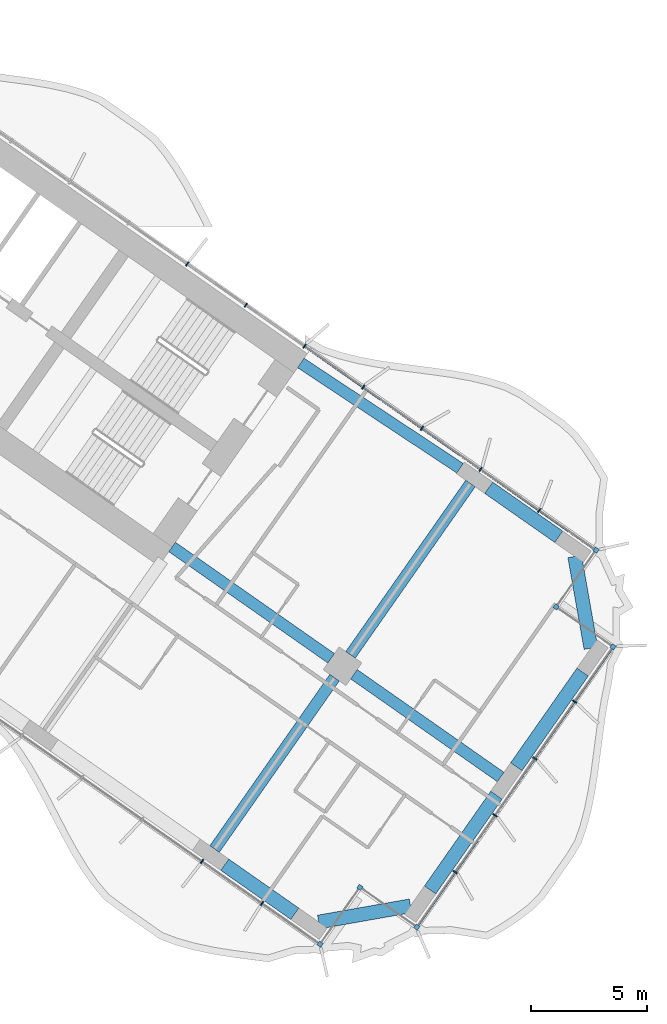
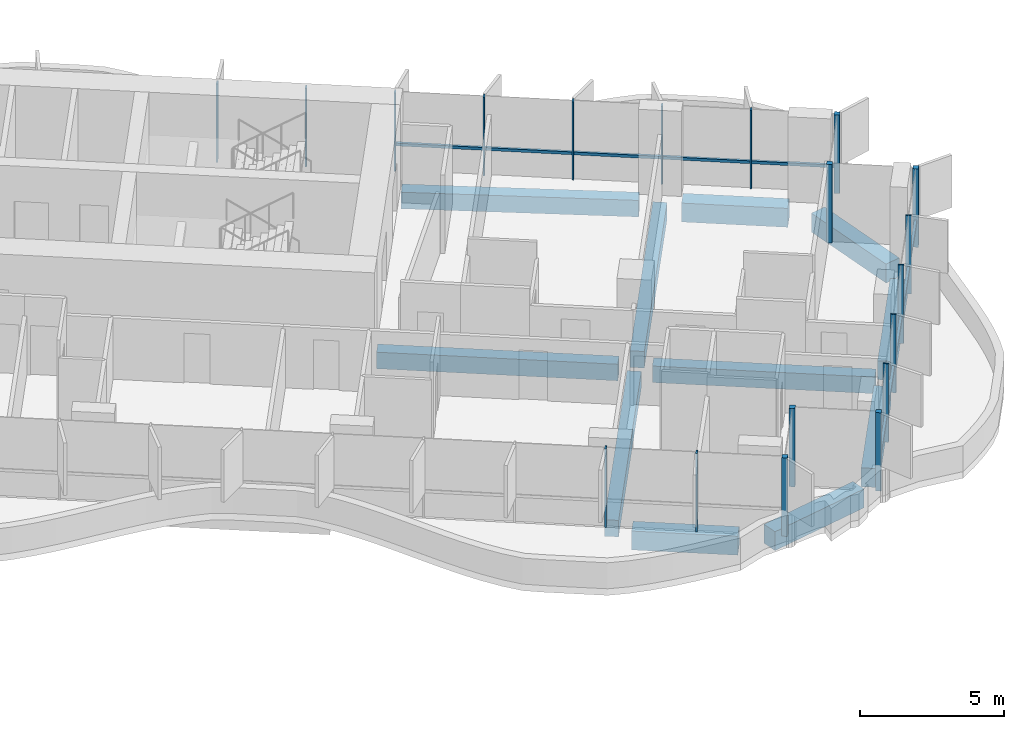
# One storey, part 9 of 23: 21 members, 11 beams, 2 elements without a shape of their own.
"""IFC4 building model written with IfcOpenShell, lengths in metres."""

from ifc_helpers import new_model, si_unit, direction, frame, origin, origin_2d, place, context, subcontext, project, spatial, rectangle, extrude, material, material_profile, profile_set, type_object, element, aggregate, save


model = new_model("IFC4")

# Units and contexts
model_context = context("Model", 3, precision=1e-05, world=origin(), true_north=direction((0.0, 1.0)))
body_context = subcontext(model_context, "Body", "Model", "MODEL_VIEW")
ifc_project = project(units=[si_unit("LENGTHUNIT", "METRE"), si_unit("AREAUNIT", "SQUARE_METRE"), si_unit("VOLUMEUNIT", "CUBIC_METRE"), si_unit("PLANEANGLEUNIT", "RADIAN"), si_unit("MASSUNIT", "GRAM", prefix="KILO")], contexts=[model_context])

# Site, building, storey
site_placement = place(None, origin())
site = spatial("IfcSite", under=ifc_project, at=site_placement, CompositionType="ELEMENT")
building_placement = place(site_placement, origin())
building = spatial("IfcBuilding", under=site, at=building_placement, Name="Tel Ilan Convention Tower", CompositionType="ELEMENT")
storey_placement = place(building_placement, frame((0.0, 0.0, 119.300048828125)))
storey = spatial("IfcBuildingStorey", under=building, at=storey_placement, Name="L26", CompositionType="ELEMENT", Elevation=119.300048828125)

# Beams
ifc_material_1 = material(Name="Concrete C40/50", Category="concrete")
ifc_material_profile_1 = material_profile(ifc_material_1, rectangle(XDim=0.5, YDim=0.699951171875, at=origin_2d()), Name="RC 500x700")
ifc_profile_set_1 = profile_set([ifc_material_profile_1], Name="Concrete C40/50")
beam_type_1 = type_object("IfcBeamType", Name="Beam RC 500x700 Concrete C40/50", PredefinedType="BEAM", material=ifc_profile_set_1)
beam_1_placement = place(storey_placement, frame((34.570556640625, -12.08447265625, -0.630126953125), z_axis=(-0.834273603487, 0.551350663847, 0.0), x_axis=(-0.551350663847, -0.834273603487, 0.0)))
element("IfcBeam", 1, at=beam_1_placement, inside=storey, type_object=beam_type_1, Name="L26 beam E-E-B4-core", PredefinedType="BEAM", context=body_context, shape_type="SweptSolid", body=[
    extrude(rectangle(XDim=0.5, YDim=0.699951171875, at=origin_2d()), origin(), (0.0, 0.0, 1.0), 8.2529296875),
])
beam_2_placement = place(storey_placement, frame((22.1171875, -15.486572265625, -0.630126953125), z_axis=(0.819147254605, -0.573583276668, 0.0), x_axis=(0.573583276668, 0.819147254605, 0.0)))
element("IfcBeam", 2, at=beam_2_placement, inside=storey, type_object=beam_type_1, Name="L26 beam E-core-E-M4", PredefinedType="BEAM", context=body_context, shape_type="SweptSolid", body=[
    extrude(rectangle(XDim=0.5, YDim=0.699951171875, at=origin_2d()), origin(), (0.0, 0.0, 1.0), 8.400146484375),
])
beam_3_placement = place(storey_placement, frame((29.98095703125, -20.992919921875, -0.630126953125), z_axis=(0.819159394801, -0.573565938589, 0.0), x_axis=(0.573565938589, 0.819159394801, 0.0)))
element("IfcBeam", 3, at=beam_3_placement, inside=storey, type_object=beam_type_1, Name="L26 beam E-E-M4-end", PredefinedType="BEAM", context=body_context, shape_type="SweptSolid", body=[
    extrude(rectangle(XDim=0.5, YDim=0.699951171875, at=origin_2d()), origin(), (0.0, 0.0, 1.0), 7.75),
])
for number, where, z_axis, x_axis, name in (
    (4, (29.145263671875, -21.14013671875, -0.630126953125), (-0.573549245583, -0.819171082798, 0.0), (0.819171082798, -0.573549245583, 0.0), "L26 beam E-E-M4-E-F4"),
    (5, (29.83349609375, -20.1572265625, -0.630126953125), (0.57358002233, 0.819149533348, 0.0), (-0.819149533348, 0.57358002233, 0.0), "L26 beam E-E-M4-E-B4"),
):
    element("IfcBeam", number, at=place(storey_placement, frame(where, z_axis=z_axis, x_axis=x_axis)), inside=storey, type_object=beam_type_1, Name=name, PredefinedType="BEAM", context=body_context, shape_type="SweptSolid", body=[
        extrude(rectangle(XDim=0.5, YDim=0.699951171875, at=origin_2d()), origin(), (0.0, 0.0, 1.0), 9.050048828125),
    ])
ifc_material_2 = material(Name="Concrete C40/50", Category="concrete")
ifc_material_profile_2 = material_profile(ifc_material_2, rectangle(XDim=0.60009765625, YDim=0.800048828125, at=origin_2d()), Name="RC 600x800")
ifc_profile_set_2 = profile_set([ifc_material_profile_2], Name="Concrete C40/50")
beam_type_2 = type_object("IfcBeamType", Name="Beam RC 600x800 Concrete C40/50", PredefinedType="BEAM", material=ifc_profile_set_2)
beam_4_placement = place(storey_placement, frame((24.396728515625, -29.2294921875, -0.679931640625), z_axis=(0.819132709951, -0.573604047656, 0.0), x_axis=(0.573604047656, 0.819132709951, 0.0)))
element("IfcBeam", 6, at=beam_4_placement, inside=storey, type_object=beam_type_2, Name="L26 beam E-E-F4-E-FC", PredefinedType="BEAM", context=body_context, shape_type="SweptSolid", body=[
    extrude(rectangle(XDim=0.60009765625, YDim=0.800048828125, at=origin_2d()), origin(), (0.0, 0.0, 1.0), 3.699951171875),
])
beam_5_placement = place(storey_placement, frame((28.459716796875, -31.708251953125, -0.679931640625), z_axis=(0.984806721117, 0.173654029734, 0.0), x_axis=(-0.173654029734, 0.984806721117, 0.0)))
element("IfcBeam", 7, at=beam_5_placement, inside=storey, type_object=beam_type_2, Name="L26 beam E-E-FC-E-E1", PredefinedType="BEAM", context=body_context, shape_type="SweptSolid", body=[
    extrude(rectangle(XDim=0.60009765625, YDim=0.800048828125, at=origin_2d()), origin(), (0.0, 0.0, 1.0), 4.03076171875),
])
for number, where, z_axis, x_axis, name in (
    (8, (33.277099609375, -30.3203125, -0.679931640625), (0.573586866468, 0.819144740944, 0.0), (-0.819144740944, 0.573586866468, 0.0), "L26 beam E-E-E1-E-E2"),
    (9, (37.00537109375, -24.995849609375, -0.679931640625), (0.573586866468, 0.819144740944, 0.0), (-0.819144740944, 0.573586866468, 0.0), "L26 beam E-E-E2-E-E3"),
):
    element("IfcBeam", number, at=place(storey_placement, frame(where, z_axis=z_axis, x_axis=x_axis)), inside=storey, type_object=beam_type_2, Name=name, PredefinedType="BEAM", context=body_context, shape_type="SweptSolid", body=[
        extrude(rectangle(XDim=0.60009765625, YDim=0.800048828125, at=origin_2d()), origin(), (0.0, 0.0, 1.0), 5.0),
    ])
beam_6_placement = place(storey_placement, frame((40.229736328125, -19.867919921875, -0.679931640625), z_axis=(-0.173664388751, 0.984804894423, 0.0), x_axis=(-0.984804894423, -0.173664388751, 0.0)))
element("IfcBeam", 10, at=beam_6_placement, inside=storey, type_object=beam_type_2, Name="L26 beam E-E-E3-E-BC", PredefinedType="BEAM", context=body_context, shape_type="SweptSolid", body=[
    extrude(rectangle(XDim=0.60009765625, YDim=0.800048828125, at=origin_2d()), origin(), (0.0, 0.0, 1.0), 4.030517578125),
])
beam_7_placement = place(storey_placement, frame((38.841796875, -15.050537109375, -0.679931640625), z_axis=(-0.819185419371, 0.573528768842, 0.0), x_axis=(-0.573528768842, -0.819185419371, 0.0)))
element("IfcBeam", 11, at=beam_7_placement, inside=storey, type_object=beam_type_2, Name="L26 beam E-E-BC-E-B4", PredefinedType="BEAM", context=body_context, shape_type="SweptSolid", body=[
    extrude(rectangle(XDim=0.60009765625, YDim=0.800048828125, at=origin_2d()), origin(), (0.0, 0.0, 1.0), 3.699951171875),
])

# Curtain wall, members
ifc_material_3 = material(Name="Aluminium, bronze anodised", Category="aluminium")
curtain_wall_type_1 = type_object("IfcCurtainWallType", Name="CW1 UNITISED CURTAIN WALL, HOTEL TINTED GLASS", PredefinedType="NOTDEFINED", material=ifc_material_3)
curtain_wall_1_placement = place(storey_placement, origin())
curtain_wall_1 = element("IfcCurtainWall", 12, at=curtain_wall_1_placement, inside=storey, type_object=curtain_wall_type_1, Name="Curtain wall CW1-20.02", PredefinedType="NOTDEFINED")
ifc_material_4 = material(Name="Aluminium, bronze anodised", Category="aluminium")
ifc_material_profile_3 = material_profile(ifc_material_4, rectangle(XDim=0.199951171875, YDim=0.199951171875, at=origin_2d()), Name="CW CORNER MULLION 200x200")
ifc_profile_set_3 = profile_set([ifc_material_profile_3], Name="Aluminium, bronze anodised")
member_type_1 = type_object("IfcMemberType", Name="CW CORNER MULLION 200x200", PredefinedType="MULLION", material=ifc_profile_set_3)
member_1_placement = place(storey_placement, frame((28.52099609375, -32.666748046875, 0.0), z_axis=(0.0, 0.0, 1.0), x_axis=(0.819152044289, -0.573576436351, 0.0)))
member_1 = element("IfcMember", 13, at=member_1_placement, type_object=member_type_1, Name="Corner mullion", PredefinedType="MULLION", context=body_context, shape_type="SweptSolid", body=[
    extrude(rectangle(XDim=0.199951171875, YDim=0.199951171875, at=origin_2d()), origin(), (0.0, 0.0, 1.0), 3.320068359375),
])
member_2_placement = place(storey_placement, frame((30.241943359375, -30.209228515625, 0.0), z_axis=(0.0, 0.0, 1.0), x_axis=(0.573576436351, 0.819152044289, 0.0)))
member_2 = element("IfcMember", 14, at=member_2_placement, type_object=member_type_1, Name="Corner mullion", PredefinedType="MULLION", context=body_context, shape_type="SweptSolid", body=[
    extrude(rectangle(XDim=0.199951171875, YDim=0.199951171875, at=origin_2d()), origin(), (0.0, 0.0, 1.0), 3.320068359375),
])
member_3_placement = place(storey_placement, frame((32.69921875, -31.929931640625, 0.0), z_axis=(0.0, 0.0, 1.0), x_axis=(0.819152044289, -0.573576436351, 0.0)))
member_3 = element("IfcMember", 15, at=member_3_placement, type_object=member_type_1, Name="Corner mullion", PredefinedType="MULLION", context=body_context, shape_type="SweptSolid", body=[
    extrude(rectangle(XDim=0.199951171875, YDim=0.199951171875, at=origin_2d()), origin(), (0.0, 0.0, 1.0), 3.320068359375),
])
member_4_placement = place(storey_placement, frame((41.188232421875, -19.806640625, 0.0), z_axis=(0.0, 0.0, 1.0), x_axis=(0.573576436351, 0.819152044289, 0.0)))
member_4 = element("IfcMember", 16, at=member_4_placement, type_object=member_type_1, Name="Corner mullion", PredefinedType="MULLION", context=body_context, shape_type="SweptSolid", body=[
    extrude(rectangle(XDim=0.199951171875, YDim=0.199951171875, at=origin_2d()), origin(), (0.0, 0.0, 1.0), 3.320068359375),
])
member_5_placement = place(storey_placement, frame((38.730712890625, -18.0859375, 0.0), z_axis=(0.0, 0.0, 1.0), x_axis=(-0.819152044289, 0.573576436351, 0.0)))
member_5 = element("IfcMember", 17, at=member_5_placement, type_object=member_type_1, Name="Corner mullion", PredefinedType="MULLION", context=body_context, shape_type="SweptSolid", body=[
    extrude(rectangle(XDim=0.199951171875, YDim=0.199951171875, at=origin_2d()), origin(), (0.0, 0.0, 1.0), 3.320068359375),
])
member_6_placement = place(storey_placement, frame((40.451416015625, -15.62841796875, 0.0), z_axis=(0.0, 0.0, 1.0), x_axis=(0.573576436351, 0.819152044289, 0.0)))
member_6 = element("IfcMember", 18, at=member_6_placement, type_object=member_type_1, Name="Corner mullion", PredefinedType="MULLION", context=body_context, shape_type="SweptSolid", body=[
    extrude(rectangle(XDim=0.199951171875, YDim=0.199951171875, at=origin_2d()), origin(), (0.0, 0.0, 1.0), 3.320068359375),
])

ifc_material_5 = material(Name="Aluminium, bronze anodised", Category="aluminium")
curtain_wall_type_2 = type_object("IfcCurtainWallType", Name="CW2 STICK CURTAIN WALL, SPANDREL PANELS", PredefinedType="NOTDEFINED", material=ifc_material_5)
curtain_wall_2_placement = place(storey_placement, origin())
curtain_wall_2 = element("IfcCurtainWall", 19, at=curtain_wall_2_placement, inside=storey, type_object=curtain_wall_type_2, Name="Curtain wall CW2-20.01", PredefinedType="NOTDEFINED")
ifc_material_6 = material(Name="Aluminium, bronze anodised", Category="aluminium")
ifc_material_profile_4 = material_profile(ifc_material_6, rectangle(XDim=0.06005859375, YDim=0.199951171875, at=origin_2d()), Name="CW MULLION 60x200")
ifc_profile_set_4 = profile_set([ifc_material_profile_4], Name="Aluminium, bronze anodised")
member_type_2 = type_object("IfcMemberType", Name="CW MULLION 60x200", PredefinedType="MULLION", material=ifc_profile_set_4)
member_7_placement = place(storey_placement, frame((27.848876953125, -6.803955078125, 0.0), z_axis=(0.0, 0.0, 1.0), x_axis=(-0.819152044289, 0.573576436351, 0.0)))
member_7 = element("IfcMember", 20, at=member_7_placement, type_object=member_type_2, Name="Mullion", PredefinedType="MULLION", context=body_context, shape_type="SweptSolid", body=[
    extrude(rectangle(XDim=0.06005859375, YDim=0.199951171875, at=origin_2d()), origin(), (0.0, 0.0, 1.0), 3.320068359375),
])
member_8_placement = place(storey_placement, frame((25.311767578125, -5.027587890625, 0.0), z_axis=(0.0, 0.0, 1.0), x_axis=(-0.819152044289, 0.573576436351, 0.0)))
member_8 = element("IfcMember", 21, at=member_8_placement, type_object=member_type_2, Name="Mullion", PredefinedType="MULLION", context=body_context, shape_type="SweptSolid", body=[
    extrude(rectangle(XDim=0.06005859375, YDim=0.199951171875, at=origin_2d()), origin(), (0.0, 0.0, 1.0), 3.320068359375),
])
member_9_placement = place(storey_placement, frame((22.77490234375, -3.251220703125, 0.0), z_axis=(0.0, 0.0, 1.0), x_axis=(-0.819152044289, 0.573576436351, 0.0)))
member_9 = element("IfcMember", 22, at=member_9_placement, type_object=member_type_2, Name="Mullion", PredefinedType="MULLION", context=body_context, shape_type="SweptSolid", body=[
    extrude(rectangle(XDim=0.06005859375, YDim=0.199951171875, at=origin_2d()), origin(), (0.0, 0.0, 1.0), 3.320068359375),
])
aggregate(curtain_wall_2, [member_7, member_8, member_9])

# Member
member_10_placement = place(storey_placement, frame((23.412841796875, -29.08984375, 0.0), z_axis=(0.0, 0.0, 1.0), x_axis=(0.819152044289, -0.573576436351, 0.0)))
member_10 = element("IfcMember", 23, at=member_10_placement, type_object=member_type_2, Name="Mullion", PredefinedType="MULLION", context=body_context, shape_type="SweptSolid", body=[
    extrude(rectangle(XDim=0.06005859375, YDim=0.199951171875, at=origin_2d()), origin(), (0.0, 0.0, 1.0), 3.320068359375),
])

member_11_placement = place(storey_placement, frame((26.008056640625, -30.906982421875, 0.0), z_axis=(0.0, 0.0, 1.0), x_axis=(0.819152044289, -0.573576436351, 0.0)))
member_11 = element("IfcMember", 24, at=member_11_placement, type_object=member_type_2, Name="Mullion", PredefinedType="MULLION", context=body_context, shape_type="SweptSolid", body=[
    extrude(rectangle(XDim=0.06005859375, YDim=0.199951171875, at=origin_2d()), origin(), (0.0, 0.0, 1.0), 3.320068359375),
])

member_12_placement = place(storey_placement, frame((34.362548828125, -29.554443359375, 0.0), z_axis=(0.0, 0.0, 1.0), x_axis=(0.573576436351, 0.819152044289, 0.0)))
member_12 = element("IfcMember", 25, at=member_12_placement, type_object=member_type_2, Name="Mullion", PredefinedType="MULLION", context=body_context, shape_type="SweptSolid", body=[
    extrude(rectangle(XDim=0.06005859375, YDim=0.199951171875, at=origin_2d()), origin(), (0.0, 0.0, 1.0), 3.320068359375),
])

member_13_placement = place(storey_placement, frame((36.08349609375, -27.096923828125, 0.0), z_axis=(0.0, 0.0, 1.0), x_axis=(0.573576436351, 0.819152044289, 0.0)))
member_13 = element("IfcMember", 26, at=member_13_placement, type_object=member_type_2, Name="Mullion", PredefinedType="MULLION", context=body_context, shape_type="SweptSolid", body=[
    extrude(rectangle(XDim=0.06005859375, YDim=0.199951171875, at=origin_2d()), origin(), (0.0, 0.0, 1.0), 3.320068359375),
])

member_14_placement = place(storey_placement, frame((37.80419921875, -24.6396484375, 0.0), z_axis=(0.0, 0.0, 1.0), x_axis=(0.573576436351, 0.819152044289, 0.0)))
member_14 = element("IfcMember", 27, at=member_14_placement, type_object=member_type_2, Name="Mullion", PredefinedType="MULLION", context=body_context, shape_type="SweptSolid", body=[
    extrude(rectangle(XDim=0.06005859375, YDim=0.199951171875, at=origin_2d()), origin(), (0.0, 0.0, 1.0), 3.320068359375),
])

member_15_placement = place(storey_placement, frame((39.52490234375, -22.18212890625, 0.0), z_axis=(0.0, 0.0, 1.0), x_axis=(0.573576436351, 0.819152044289, 0.0)))
member_15 = element("IfcMember", 28, at=member_15_placement, type_object=member_type_2, Name="Mullion", PredefinedType="MULLION", context=body_context, shape_type="SweptSolid", body=[
    extrude(rectangle(XDim=0.06005859375, YDim=0.199951171875, at=origin_2d()), origin(), (0.0, 0.0, 1.0), 3.320068359375),
])

member_16_placement = place(storey_placement, frame((37.99658203125, -13.909423828125, 0.0), z_axis=(0.0, 0.0, 1.0), x_axis=(-0.819152044289, 0.573576436351, 0.0)))
member_16 = element("IfcMember", 29, at=member_16_placement, type_object=member_type_2, Name="Mullion", PredefinedType="MULLION", context=body_context, shape_type="SweptSolid", body=[
    extrude(rectangle(XDim=0.06005859375, YDim=0.199951171875, at=origin_2d()), origin(), (0.0, 0.0, 1.0), 3.320068359375),
])

member_17_placement = place(storey_placement, frame((35.45947265625, -12.133056640625, 0.0), z_axis=(0.0, 0.0, 1.0), x_axis=(-0.819152044289, 0.573576436351, 0.0)))
member_17 = element("IfcMember", 30, at=member_17_placement, type_object=member_type_2, Name="Mullion", PredefinedType="MULLION", context=body_context, shape_type="SweptSolid", body=[
    extrude(rectangle(XDim=0.06005859375, YDim=0.199951171875, at=origin_2d()), origin(), (0.0, 0.0, 1.0), 3.320068359375),
])

member_18_placement = place(storey_placement, frame((32.922607421875, -10.356689453125, 0.0), z_axis=(0.0, 0.0, 1.0), x_axis=(-0.819152044289, 0.573576436351, 0.0)))
member_18 = element("IfcMember", 31, at=member_18_placement, type_object=member_type_2, Name="Mullion", PredefinedType="MULLION", context=body_context, shape_type="SweptSolid", body=[
    extrude(rectangle(XDim=0.06005859375, YDim=0.199951171875, at=origin_2d()), origin(), (0.0, 0.0, 1.0), 3.320068359375),
])

member_19_placement = place(storey_placement, frame((30.3857421875, -8.580322265625, 0.0), z_axis=(0.0, 0.0, 1.0), x_axis=(-0.819152044289, 0.573576436351, 0.0)))
member_19 = element("IfcMember", 32, at=member_19_placement, type_object=member_type_2, Name="Mullion", PredefinedType="MULLION", context=body_context, shape_type="SweptSolid", body=[
    extrude(rectangle(XDim=0.06005859375, YDim=0.199951171875, at=origin_2d()), origin(), (0.0, 0.0, 1.0), 3.320068359375),
])

ifc_material_7 = material(Name="Aluminium, bronze anodised", Category="aluminium")
ifc_material_profile_5 = material_profile(ifc_material_7, rectangle(XDim=0.10009765625, YDim=0.1201171875, at=origin_2d()), Name="CW TRANSOM 100x120")
ifc_profile_set_5 = profile_set([ifc_material_profile_5], Name="Aluminium, bronze anodised")
member_type_3 = type_object("IfcMemberType", Name="CW TRANSOM 100x120", PredefinedType="USERDEFINED", material=ifc_profile_set_5)
member_20_placement = place(storey_placement, frame((32.756591796875, -31.84814453125, 1.099853515625), z_axis=(0.573575688231, 0.819152568128, 0.0), x_axis=(-0.819152568128, 0.573575688231, 0.0)))
member_20 = element("IfcMember", 33, at=member_20_placement, type_object=member_type_3, Name="Transom", ObjectType="TRANSOM", PredefinedType="USERDEFINED", context=body_context, shape_type="SweptSolid", body=[
    extrude(rectangle(XDim=0.10009765625, YDim=0.1201171875, at=origin_2d()), origin(), (0.0, 0.0, 1.0), 14.60009765625),
])

member_21_placement = place(storey_placement, frame((40.36962890625, -15.571044921875, 1.099853515625), z_axis=(-0.819152967985, 0.573575117174, 0.0), x_axis=(-0.573575117174, -0.819152967985, 0.0)))
member_21 = element("IfcMember", 34, at=member_21_placement, type_object=member_type_3, Name="Transom", ObjectType="TRANSOM", PredefinedType="USERDEFINED", context=body_context, shape_type="SweptSolid", body=[
    extrude(rectangle(XDim=0.10009765625, YDim=0.1201171875, at=origin_2d()), origin(), (0.0, 0.0, 1.0), 15.255126953125),
])

aggregate(curtain_wall_1, [member_10, member_11, member_1, member_2, member_3, member_12, member_13, member_14, member_15, member_4, member_20, member_5, member_6, member_16, member_17, member_18, member_19, member_21])

save(model, "model.ifc")
